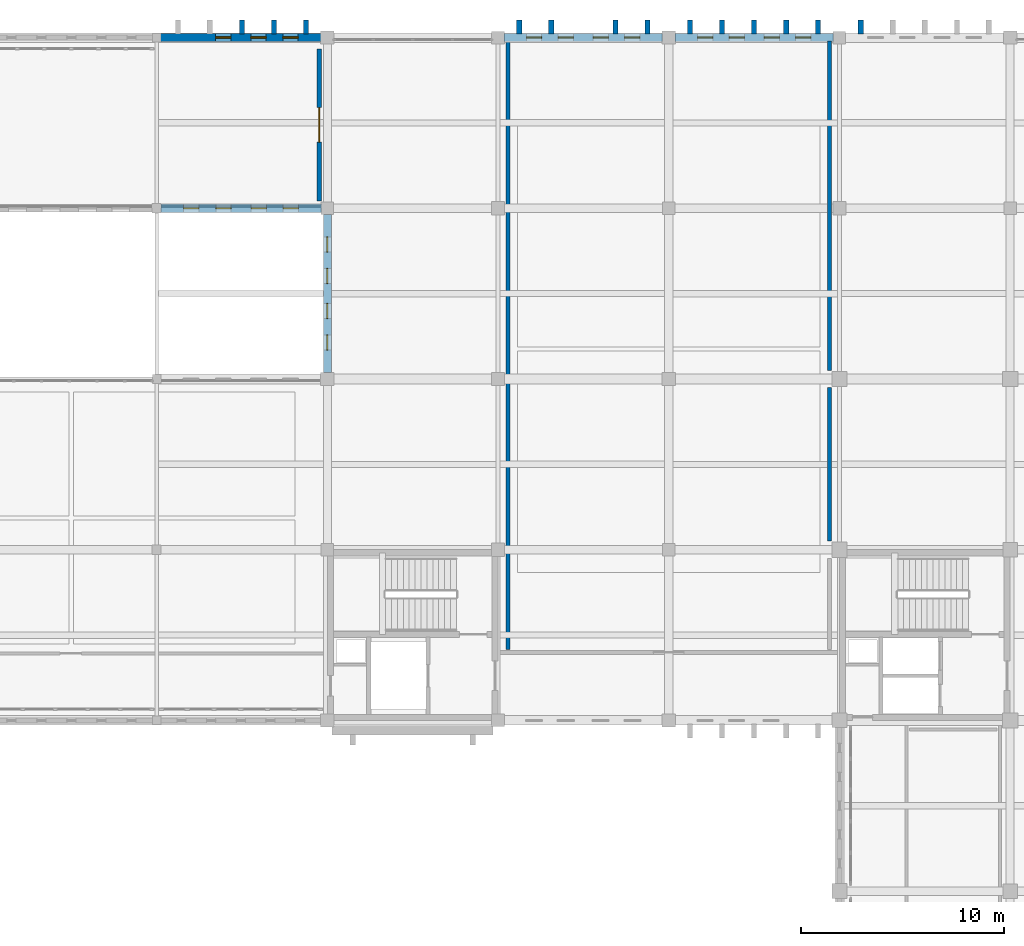
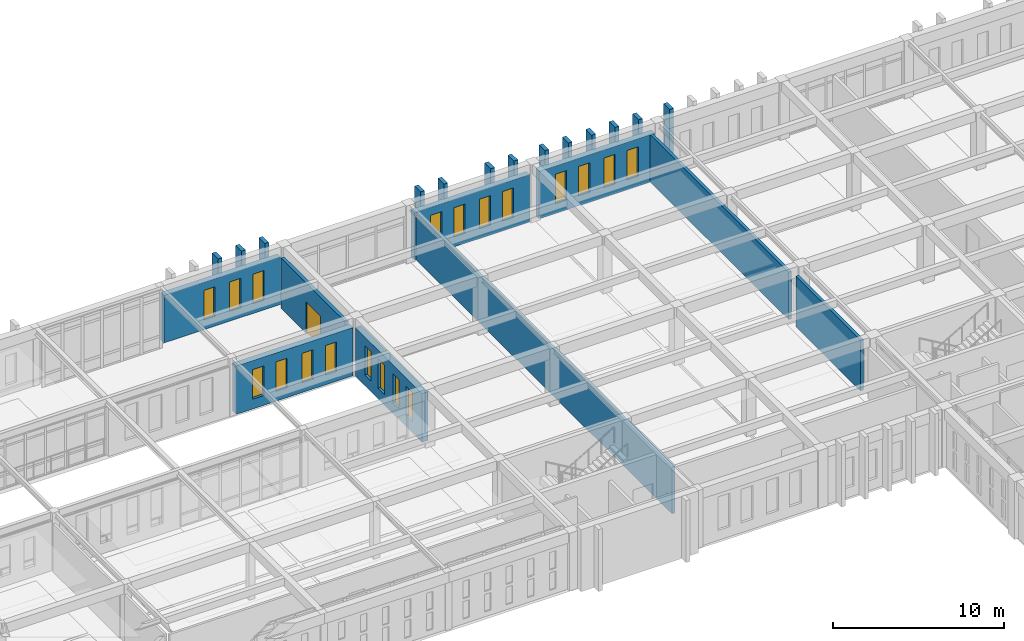
# One storey, part 174 of 192: 22 walls, 19 windows, 1 door, 20 openings.
"""IFC4 building model written with IfcOpenShell, lengths in metres."""

from ifc_helpers import new_model, si_unit, direction, frame, frame_2d, origin, place, context, subcontext, project, spatial, rectangle, extrude, material, layer, layer_set, type_object, element, fill, save


model = new_model("IFC4")

# Units and contexts
model_context = context("Model", 3, precision=1e-05, world=origin(), true_north=direction((0.0, 1.0)))
body_context = subcontext(model_context, "Body", "Model", "MODEL_VIEW")
ifc_project = project(units=[si_unit("LENGTHUNIT", "METRE"), si_unit("AREAUNIT", "SQUARE_METRE"), si_unit("VOLUMEUNIT", "CUBIC_METRE"), si_unit("PLANEANGLEUNIT", "RADIAN"), si_unit("MASSUNIT", "GRAM", prefix="KILO")], contexts=[model_context])

# Site, building, storey
site_placement = place(None, origin())
site = spatial("IfcSite", under=ifc_project, at=site_placement, CompositionType="ELEMENT")
building_placement = place(site_placement, origin())
building = spatial("IfcBuilding", under=site, at=building_placement, Name="Kveldsbrygga Polytechnic", CompositionType="ELEMENT")
storey_placement = place(building_placement, frame((0.0, 0.0, 5.43994140625)))
storey = spatial("IfcBuildingStorey", under=building, at=storey_placement, Name="L01", CompositionType="ELEMENT", Elevation=5.43994140625)

# Wall, openings, windows
ifc_material_1 = material(Name="Fired clay brick masonry M10", Category="masonry")
ifc_layer_1 = layer(ifc_material_1, 0.3798828125)
ifc_layer_set_1 = layer_set([ifc_layer_1], Name="Fired clay brick masonry M10")
wall_type_1 = type_object("IfcWallType", Name="EW-BRICK-380", PredefinedType="SOLIDWALL", material=ifc_layer_set_1)
wall_1_placement = place(storey_placement, frame((92.594970703125, 117.60009765625, 0.0), z_axis=(0.0, 0.0, 1.0), x_axis=(1.0, 0.0, 0.0)))
wall_1 = element("IfcWall", 1, at=wall_1_placement, inside=storey, type_object=wall_type_1, Name="Exterior Brick Wall EW-L01-X-11-14", PredefinedType="SOLIDWALL", context=body_context, shape_type="SweptSolid", body=[
    extrude(rectangle(XDim=7.89501953125, YDim=0.3798828125, at=frame_2d((3.947509765625, 0.0))), origin(), (0.0, 0.0, 1.0), 3.380126953125),
])
opening_1_placement = place(wall_1_placement, frame((2.7041015625, 0.0, 0.699951171875)))
opening_1 = element("IfcOpeningElement", 2, at=opening_1_placement, cuts=wall_1, Name="Opening W-27", PredefinedType="OPENING", context=body_context, shape_type="SweptSolid", body=[
    extrude(rectangle(XDim=0.75, YDim=2.10009765625, at=frame_2d((0.375, 1.050048828125))), frame((0.0, 0.199951171875, 0.0), z_axis=(0.0, -1.0, 0.0), x_axis=(1.0, 0.0, 0.0)), (0.0, 0.0, 1.0), 0.39990234375),
])
opening_2_placement = place(wall_1_placement, frame((4.44091796875, 0.0, 0.699951171875)))
opening_2 = element("IfcOpeningElement", 3, at=opening_2_placement, cuts=wall_1, Name="Opening W-27", PredefinedType="OPENING", context=body_context, shape_type="SweptSolid", body=[
    extrude(rectangle(XDim=0.75, YDim=2.10009765625, at=frame_2d((0.375, 1.050048828125))), frame((0.0, 0.199951171875, 0.0), z_axis=(0.0, -1.0, 0.0), x_axis=(1.0, 0.0, 0.0)), (0.0, 0.0, 1.0), 0.39990234375),
])
opening_3_placement = place(wall_1_placement, frame((6.02001953125, 0.0, 0.699951171875)))
opening_3 = element("IfcOpeningElement", 4, at=opening_3_placement, cuts=wall_1, Name="Opening W-27", PredefinedType="OPENING", context=body_context, shape_type="SweptSolid", body=[
    extrude(rectangle(XDim=0.75, YDim=2.10009765625, at=frame_2d((0.375, 1.050048828125))), frame((0.0, 0.199951171875, 0.0), z_axis=(0.0, -1.0, 0.0), x_axis=(1.0, 0.0, 0.0)), (0.0, 0.0, 1.0), 0.39990234375),
])
ifc_material_2 = material(Name="Insulated triple low-E glass", Category="glass")
window_type = type_object("IfcWindowType", Name="WN-ATTIC-075x210", PartitioningType="DOUBLE_PANEL_VERTICAL", PredefinedType="WINDOW", material=ifc_material_2)
window_1_placement = place(opening_1_placement, origin())
window_1 = element("IfcWindow", 5, at=window_1_placement, inside=storey, type_object=window_type, Name="Gothic Lancet Window WIN-L01-X-11-14-2", OverallHeight=2.10009765625, OverallWidth=0.75, PartitioningType="DOUBLE_PANEL_VERTICAL", PredefinedType="WINDOW", context=body_context, shape_type="SweptSolid", body=[
    extrude(rectangle(XDim=0.75, YDim=2.10009765625, at=frame_2d((0.375, 1.050048828125))), frame((0.0, 0.030029296875, 0.0), z_axis=(0.0, -1.0, 0.0), x_axis=(1.0, 0.0, 0.0)), (0.0, 0.0, 1.0), 0.06005859375),
])
fill(opening_1, window_1)
window_2_placement = place(opening_2_placement, origin())
window_2 = element("IfcWindow", 6, at=window_2_placement, inside=storey, type_object=window_type, Name="Gothic Lancet Window WIN-L01-X-11-14-3", OverallHeight=2.10009765625, OverallWidth=0.75, PartitioningType="DOUBLE_PANEL_VERTICAL", PredefinedType="WINDOW", context=body_context, shape_type="SweptSolid", body=[
    extrude(rectangle(XDim=0.75, YDim=2.10009765625, at=frame_2d((0.375, 1.050048828125))), frame((0.0, 0.030029296875, 0.0), z_axis=(0.0, -1.0, 0.0), x_axis=(1.0, 0.0, 0.0)), (0.0, 0.0, 1.0), 0.06005859375),
])
fill(opening_2, window_2)
window_3_placement = place(opening_3_placement, origin())
window_3 = element("IfcWindow", 7, at=window_3_placement, inside=storey, type_object=window_type, Name="Gothic Lancet Window WIN-L01-X-11-14-4", OverallHeight=2.10009765625, OverallWidth=0.75, PartitioningType="DOUBLE_PANEL_VERTICAL", PredefinedType="WINDOW", context=body_context, shape_type="SweptSolid", body=[
    extrude(rectangle(XDim=0.75, YDim=2.10009765625, at=frame_2d((0.375, 1.050048828125))), frame((0.0, 0.030029296875, 0.0), z_axis=(0.0, -1.0, 0.0), x_axis=(1.0, 0.0, 0.0)), (0.0, 0.0, 1.0), 0.06005859375),
])
fill(opening_3, window_3)

wall_2_placement = place(storey_placement, frame((109.4951171875, 117.60009765625, 0.0), z_axis=(0.0, 0.0, 1.0), x_axis=(1.0, 0.0, 0.0)))
wall_2 = element("IfcWall", 8, at=wall_2_placement, inside=storey, type_object=wall_type_1, Name="Exterior Brick Wall EW-L01-X-13-14", PredefinedType="SOLIDWALL", context=body_context, shape_type="SweptSolid", body=[
    extrude(rectangle(XDim=7.794921875, YDim=0.3798828125, at=frame_2d((3.8974609375, 0.0))), origin(), (0.0, 0.0, 1.0), 3.380126953125),
])
opening_4_placement = place(wall_2_placement, frame((1.10595703125, 0.0, 0.699951171875)))
opening_4 = element("IfcOpeningElement", 9, at=opening_4_placement, cuts=wall_2, Name="Opening W-27", PredefinedType="OPENING", context=body_context, shape_type="SweptSolid", body=[
    extrude(rectangle(XDim=0.75, YDim=2.10009765625, at=frame_2d((0.375, 1.050048828125))), frame((0.0, 0.199951171875, 0.0), z_axis=(0.0, -1.0, 0.0), x_axis=(1.0, 0.0, 0.0)), (0.0, 0.0, 1.0), 0.39990234375),
])
opening_5_placement = place(wall_2_placement, frame((2.6650390625, 0.0, 0.699951171875)))
opening_5 = element("IfcOpeningElement", 10, at=opening_5_placement, cuts=wall_2, Name="Opening W-27", PredefinedType="OPENING", context=body_context, shape_type="SweptSolid", body=[
    extrude(rectangle(XDim=0.75, YDim=2.10009765625, at=frame_2d((0.375, 1.050048828125))), frame((0.0, 0.199951171875, 0.0), z_axis=(0.0, -1.0, 0.0), x_axis=(1.0, 0.0, 0.0)), (0.0, 0.0, 1.0), 0.39990234375),
])
opening_6_placement = place(wall_2_placement, frame((4.3798828125, 0.0, 0.699951171875)))
opening_6 = element("IfcOpeningElement", 11, at=opening_6_placement, cuts=wall_2, Name="Opening W-27", PredefinedType="OPENING", context=body_context, shape_type="SweptSolid", body=[
    extrude(rectangle(XDim=0.75, YDim=2.10009765625, at=frame_2d((0.375, 1.050048828125))), frame((0.0, 0.199951171875, 0.0), z_axis=(0.0, -1.0, 0.0), x_axis=(1.0, 0.0, 0.0)), (0.0, 0.0, 1.0), 0.39990234375),
])
opening_7_placement = place(wall_2_placement, frame((5.93896484375, 0.0, 0.699951171875)))
opening_7 = element("IfcOpeningElement", 12, at=opening_7_placement, cuts=wall_2, Name="Opening W-27", PredefinedType="OPENING", context=body_context, shape_type="SweptSolid", body=[
    extrude(rectangle(XDim=0.75, YDim=2.10009765625, at=frame_2d((0.375, 1.050048828125))), frame((0.0, 0.199951171875, 0.0), z_axis=(0.0, -1.0, 0.0), x_axis=(1.0, 0.0, 0.0)), (0.0, 0.0, 1.0), 0.39990234375),
])
window_4_placement = place(opening_4_placement, origin())
window_4 = element("IfcWindow", 13, at=window_4_placement, inside=storey, type_object=window_type, Name="Gothic Lancet Window WIN-L01-X-13-14-1", OverallHeight=2.10009765625, OverallWidth=0.75, PartitioningType="DOUBLE_PANEL_VERTICAL", PredefinedType="WINDOW", context=body_context, shape_type="SweptSolid", body=[
    extrude(rectangle(XDim=0.75, YDim=2.10009765625, at=frame_2d((0.375, 1.050048828125))), frame((0.0, 0.030029296875, 0.0), z_axis=(0.0, -1.0, 0.0), x_axis=(1.0, 0.0, 0.0)), (0.0, 0.0, 1.0), 0.06005859375),
])
fill(opening_4, window_4)
window_5_placement = place(opening_5_placement, origin())
window_5 = element("IfcWindow", 14, at=window_5_placement, inside=storey, type_object=window_type, Name="Gothic Lancet Window WIN-L01-X-13-14-2", OverallHeight=2.10009765625, OverallWidth=0.75, PartitioningType="DOUBLE_PANEL_VERTICAL", PredefinedType="WINDOW", context=body_context, shape_type="SweptSolid", body=[
    extrude(rectangle(XDim=0.75, YDim=2.10009765625, at=frame_2d((0.375, 1.050048828125))), frame((0.0, 0.030029296875, 0.0), z_axis=(0.0, -1.0, 0.0), x_axis=(1.0, 0.0, 0.0)), (0.0, 0.0, 1.0), 0.06005859375),
])
fill(opening_5, window_5)
window_6_placement = place(opening_6_placement, origin())
window_6 = element("IfcWindow", 15, at=window_6_placement, inside=storey, type_object=window_type, Name="Gothic Lancet Window WIN-L01-X-13-14-3", OverallHeight=2.10009765625, OverallWidth=0.75, PartitioningType="DOUBLE_PANEL_VERTICAL", PredefinedType="WINDOW", context=body_context, shape_type="SweptSolid", body=[
    extrude(rectangle(XDim=0.75, YDim=2.10009765625, at=frame_2d((0.375, 1.050048828125))), frame((0.0, 0.030029296875, 0.0), z_axis=(0.0, -1.0, 0.0), x_axis=(1.0, 0.0, 0.0)), (0.0, 0.0, 1.0), 0.06005859375),
])
fill(opening_6, window_6)
window_7_placement = place(opening_7_placement, origin())
window_7 = element("IfcWindow", 16, at=window_7_placement, inside=storey, type_object=window_type, Name="Gothic Lancet Window WIN-L01-X-13-14-4", OverallHeight=2.10009765625, OverallWidth=0.75, PartitioningType="DOUBLE_PANEL_VERTICAL", PredefinedType="WINDOW", context=body_context, shape_type="SweptSolid", body=[
    extrude(rectangle(XDim=0.75, YDim=2.10009765625, at=frame_2d((0.375, 1.050048828125))), frame((0.0, 0.030029296875, 0.0), z_axis=(0.0, -1.0, 0.0), x_axis=(1.0, 0.0, 0.0)), (0.0, 0.0, 1.0), 0.06005859375),
])
fill(opening_7, window_7)

ifc_layer_2 = layer(ifc_material_1, 0.39990234375)
ifc_layer_set_2 = layer_set([ifc_layer_2], Name="Fired clay brick masonry M10")
wall_type_2 = type_object("IfcWallType", Name="EW-BRICK-400", PredefinedType="SOLIDWALL", material=ifc_layer_set_2)
wall_3_placement = place(storey_placement, frame((92.610107421875, 109.199951171875, 0.0), z_axis=(0.0, 0.0, 1.0), x_axis=(1.0, 0.0, 0.0)))
wall_3 = element("IfcWall", 17, at=wall_3_placement, inside=storey, type_object=wall_type_2, Name="Exterior Brick Wall EW-L01-X-11-13", PredefinedType="SOLIDWALL", context=body_context, shape_type="SweptSolid", body=[
    extrude(rectangle(XDim=7.894775390625, YDim=0.39990234375, at=frame_2d((3.947265625, 0.0))), origin(), (0.0, 0.0, 1.0), 3.43994140625),
])
opening_8_placement = place(wall_3_placement, frame((1.125, 0.0, 0.699951171875)))
opening_8 = element("IfcOpeningElement", 18, at=opening_8_placement, cuts=wall_3, Name="Opening W-27", PredefinedType="OPENING", context=body_context, shape_type="SweptSolid", body=[
    extrude(rectangle(XDim=0.75, YDim=2.10009765625, at=frame_2d((0.375, 1.050048828125))), frame((0.0, 0.2099609375, 0.0), z_axis=(0.0, -1.0, 0.0), x_axis=(1.0, 0.0, 0.0)), (0.0, 0.0, 1.0), 0.419921875),
])
opening_9_placement = place(wall_3_placement, frame((2.7041015625, 0.0, 0.699951171875)))
opening_9 = element("IfcOpeningElement", 19, at=opening_9_placement, cuts=wall_3, Name="Opening W-27", PredefinedType="OPENING", context=body_context, shape_type="SweptSolid", body=[
    extrude(rectangle(XDim=0.75, YDim=2.10009765625, at=frame_2d((0.375, 1.050048828125))), frame((0.0, 0.2099609375, 0.0), z_axis=(0.0, -1.0, 0.0), x_axis=(1.0, 0.0, 0.0)), (0.0, 0.0, 1.0), 0.419921875),
])
opening_10_placement = place(wall_3_placement, frame((4.44091796875, 0.0, 0.699951171875)))
opening_10 = element("IfcOpeningElement", 20, at=opening_10_placement, cuts=wall_3, Name="Opening W-27", PredefinedType="OPENING", context=body_context, shape_type="SweptSolid", body=[
    extrude(rectangle(XDim=0.75, YDim=2.10009765625, at=frame_2d((0.375, 1.050048828125))), frame((0.0, 0.2099609375, 0.0), z_axis=(0.0, -1.0, 0.0), x_axis=(1.0, 0.0, 0.0)), (0.0, 0.0, 1.0), 0.419921875),
])
opening_11_placement = place(wall_3_placement, frame((6.02001953125, 0.0, 0.699951171875)))
opening_11 = element("IfcOpeningElement", 21, at=opening_11_placement, cuts=wall_3, Name="Opening W-27", PredefinedType="OPENING", context=body_context, shape_type="SweptSolid", body=[
    extrude(rectangle(XDim=0.75, YDim=2.10009765625, at=frame_2d((0.375, 1.050048828125))), frame((0.0, 0.2099609375, 0.0), z_axis=(0.0, -1.0, 0.0), x_axis=(1.0, 0.0, 0.0)), (0.0, 0.0, 1.0), 0.419921875),
])
window_8_placement = place(opening_8_placement, origin())
window_8 = element("IfcWindow", 22, at=window_8_placement, inside=storey, type_object=window_type, Name="Gothic Lancet Window WIN-L01-X-11-13-1", OverallHeight=2.10009765625, OverallWidth=0.75, PartitioningType="DOUBLE_PANEL_VERTICAL", PredefinedType="WINDOW", context=body_context, shape_type="SweptSolid", body=[
    extrude(rectangle(XDim=0.75, YDim=2.10009765625, at=frame_2d((0.375, 1.050048828125))), frame((0.0, 0.030029296875, 0.0), z_axis=(0.0, -1.0, 0.0), x_axis=(1.0, 0.0, 0.0)), (0.0, 0.0, 1.0), 0.06005859375),
])
fill(opening_8, window_8)
window_9_placement = place(opening_9_placement, origin())
window_9 = element("IfcWindow", 23, at=window_9_placement, inside=storey, type_object=window_type, Name="Gothic Lancet Window WIN-L01-X-11-13-2", OverallHeight=2.10009765625, OverallWidth=0.75, PartitioningType="DOUBLE_PANEL_VERTICAL", PredefinedType="WINDOW", context=body_context, shape_type="SweptSolid", body=[
    extrude(rectangle(XDim=0.75, YDim=2.10009765625, at=frame_2d((0.375, 1.050048828125))), frame((0.0, 0.030029296875, 0.0), z_axis=(0.0, -1.0, 0.0), x_axis=(1.0, 0.0, 0.0)), (0.0, 0.0, 1.0), 0.06005859375),
])
fill(opening_9, window_9)
window_10_placement = place(opening_10_placement, origin())
window_10 = element("IfcWindow", 24, at=window_10_placement, inside=storey, type_object=window_type, Name="Gothic Lancet Window WIN-L01-X-11-13-3", OverallHeight=2.10009765625, OverallWidth=0.75, PartitioningType="DOUBLE_PANEL_VERTICAL", PredefinedType="WINDOW", context=body_context, shape_type="SweptSolid", body=[
    extrude(rectangle(XDim=0.75, YDim=2.10009765625, at=frame_2d((0.375, 1.050048828125))), frame((0.0, 0.030029296875, 0.0), z_axis=(0.0, -1.0, 0.0), x_axis=(1.0, 0.0, 0.0)), (0.0, 0.0, 1.0), 0.06005859375),
])
fill(opening_10, window_10)
window_11_placement = place(opening_11_placement, origin())
window_11 = element("IfcWindow", 25, at=window_11_placement, inside=storey, type_object=window_type, Name="Gothic Lancet Window WIN-L01-X-11-13-4", OverallHeight=2.10009765625, OverallWidth=0.75, PartitioningType="DOUBLE_PANEL_VERTICAL", PredefinedType="WINDOW", context=body_context, shape_type="SweptSolid", body=[
    extrude(rectangle(XDim=0.75, YDim=2.10009765625, at=frame_2d((0.375, 1.050048828125))), frame((0.0, 0.030029296875, 0.0), z_axis=(0.0, -1.0, 0.0), x_axis=(1.0, 0.0, 0.0)), (0.0, 0.0, 1.0), 0.06005859375),
])
fill(opening_11, window_11)

wall_4_placement = place(storey_placement, frame((100.800048828125, 101.110107421875, 0.0), z_axis=(0.0, 0.0, 1.0), x_axis=(0.0, 1.0, 0.0)))
wall_4 = element("IfcWall", 26, at=wall_4_placement, inside=storey, type_object=wall_type_2, Name="Exterior Brick Wall EW-L01-Y-12-12", PredefinedType="SOLIDWALL", context=body_context, shape_type="SweptSolid", body=[
    extrude(rectangle(XDim=7.794921875, YDim=0.39990234375, at=frame_2d((3.8974609375, 0.0))), origin(), (0.0, 0.0, 1.0), 3.469970703125),
])
opening_12_placement = place(wall_4_placement, frame((1.10595703125, 0.0, 0.75)))
opening_12 = element("IfcOpeningElement", 27, at=opening_12_placement, cuts=wall_4, Name="Opening W-27", PredefinedType="OPENING", context=body_context, shape_type="SweptSolid", body=[
    extrude(rectangle(XDim=0.75, YDim=2.10009765625, at=frame_2d((0.375, 1.050048828125))), frame((0.0, 0.2099609375, 0.0), z_axis=(0.0, -1.0, 0.0), x_axis=(1.0, 0.0, 0.0)), (0.0, 0.0, 1.0), 0.419921875),
])
opening_13_placement = place(wall_4_placement, frame((2.6650390625, 0.0, 0.75)))
opening_13 = element("IfcOpeningElement", 28, at=opening_13_placement, cuts=wall_4, Name="Opening W-27", PredefinedType="OPENING", context=body_context, shape_type="SweptSolid", body=[
    extrude(rectangle(XDim=0.75, YDim=2.10009765625, at=frame_2d((0.375, 1.050048828125))), frame((0.0, 0.2099609375, 0.0), z_axis=(0.0, -1.0, 0.0), x_axis=(1.0, 0.0, 0.0)), (0.0, 0.0, 1.0), 0.419921875),
])
opening_14_placement = place(wall_4_placement, frame((4.3798828125, 0.0, 0.75)))
opening_14 = element("IfcOpeningElement", 29, at=opening_14_placement, cuts=wall_4, Name="Opening W-27", PredefinedType="OPENING", context=body_context, shape_type="SweptSolid", body=[
    extrude(rectangle(XDim=0.75, YDim=2.10009765625, at=frame_2d((0.375, 1.050048828125))), frame((0.0, 0.2099609375, 0.0), z_axis=(0.0, -1.0, 0.0), x_axis=(1.0, 0.0, 0.0)), (0.0, 0.0, 1.0), 0.419921875),
])
opening_15_placement = place(wall_4_placement, frame((5.93896484375, 0.0, 0.75)))
opening_15 = element("IfcOpeningElement", 30, at=opening_15_placement, cuts=wall_4, Name="Opening W-27", PredefinedType="OPENING", context=body_context, shape_type="SweptSolid", body=[
    extrude(rectangle(XDim=0.75, YDim=2.10009765625, at=frame_2d((0.375, 1.050048828125))), frame((0.0, 0.2099609375, 0.0), z_axis=(0.0, -1.0, 0.0), x_axis=(1.0, 0.0, 0.0)), (0.0, 0.0, 1.0), 0.419921875),
])
window_12_placement = place(opening_12_placement, origin())
window_12 = element("IfcWindow", 31, at=window_12_placement, inside=storey, type_object=window_type, Name="Gothic Lancet Window WIN-L01-Y-12-12-1", OverallHeight=2.10009765625, OverallWidth=0.75, PartitioningType="DOUBLE_PANEL_VERTICAL", PredefinedType="WINDOW", context=body_context, shape_type="SweptSolid", body=[
    extrude(rectangle(XDim=0.75, YDim=2.10009765625, at=frame_2d((0.375, 1.050048828125))), frame((0.0, 0.030029296875, 0.0), z_axis=(0.0, -1.0, 0.0), x_axis=(1.0, 0.0, 0.0)), (0.0, 0.0, 1.0), 0.06005859375),
])
fill(opening_12, window_12)
window_13_placement = place(opening_13_placement, origin())
window_13 = element("IfcWindow", 32, at=window_13_placement, inside=storey, type_object=window_type, Name="Gothic Lancet Window WIN-L01-Y-12-12-2", OverallHeight=2.10009765625, OverallWidth=0.75, PartitioningType="DOUBLE_PANEL_VERTICAL", PredefinedType="WINDOW", context=body_context, shape_type="SweptSolid", body=[
    extrude(rectangle(XDim=0.75, YDim=2.10009765625, at=frame_2d((0.375, 1.050048828125))), frame((0.0, 0.030029296875, 0.0), z_axis=(0.0, -1.0, 0.0), x_axis=(1.0, 0.0, 0.0)), (0.0, 0.0, 1.0), 0.06005859375),
])
fill(opening_13, window_13)
window_14_placement = place(opening_14_placement, origin())
window_14 = element("IfcWindow", 33, at=window_14_placement, inside=storey, type_object=window_type, Name="Gothic Lancet Window WIN-L01-Y-12-12-3", OverallHeight=2.10009765625, OverallWidth=0.75, PartitioningType="DOUBLE_PANEL_VERTICAL", PredefinedType="WINDOW", context=body_context, shape_type="SweptSolid", body=[
    extrude(rectangle(XDim=0.75, YDim=2.10009765625, at=frame_2d((0.375, 1.050048828125))), frame((0.0, 0.030029296875, 0.0), z_axis=(0.0, -1.0, 0.0), x_axis=(1.0, 0.0, 0.0)), (0.0, 0.0, 1.0), 0.06005859375),
])
fill(opening_14, window_14)
window_15_placement = place(opening_15_placement, origin())
window_15 = element("IfcWindow", 34, at=window_15_placement, inside=storey, type_object=window_type, Name="Gothic Lancet Window WIN-L01-Y-12-12-4", OverallHeight=2.10009765625, OverallWidth=0.75, PartitioningType="DOUBLE_PANEL_VERTICAL", PredefinedType="WINDOW", context=body_context, shape_type="SweptSolid", body=[
    extrude(rectangle(XDim=0.75, YDim=2.10009765625, at=frame_2d((0.375, 1.050048828125))), frame((0.0, 0.030029296875, 0.0), z_axis=(0.0, -1.0, 0.0), x_axis=(1.0, 0.0, 0.0)), (0.0, 0.0, 1.0), 0.06005859375),
])
fill(opening_15, window_15)

wall_5_placement = place(storey_placement, frame((117.909912109375, 117.60009765625, 0.0), z_axis=(0.0, 0.0, 1.0), x_axis=(1.0, 0.0, 0.0)))
wall_5 = element("IfcWall", 35, at=wall_5_placement, inside=storey, type_object=wall_type_2, Name="Exterior Brick Wall EW-L01-X-14-14", PredefinedType="SOLIDWALL", context=body_context, shape_type="SweptSolid", body=[
    extrude(rectangle(XDim=7.795166015625, YDim=0.39990234375, at=frame_2d((3.8974609375, 0.0))), origin(), (0.0, 0.0, 1.0), 3.380126953125),
])
opening_16_placement = place(wall_5_placement, frame((1.10595703125, 0.0, 0.699951171875)))
opening_16 = element("IfcOpeningElement", 36, at=opening_16_placement, cuts=wall_5, Name="Opening W-27", PredefinedType="OPENING", context=body_context, shape_type="SweptSolid", body=[
    extrude(rectangle(XDim=0.75, YDim=2.10009765625, at=frame_2d((0.375, 1.050048828125))), frame((0.0, 0.2099609375, 0.0), z_axis=(0.0, -1.0, 0.0), x_axis=(1.0, 0.0, 0.0)), (0.0, 0.0, 1.0), 0.419921875),
])
opening_17_placement = place(wall_5_placement, frame((2.6650390625, 0.0, 0.699951171875)))
opening_17 = element("IfcOpeningElement", 37, at=opening_17_placement, cuts=wall_5, Name="Opening W-27", PredefinedType="OPENING", context=body_context, shape_type="SweptSolid", body=[
    extrude(rectangle(XDim=0.75, YDim=2.10009765625, at=frame_2d((0.375, 1.050048828125))), frame((0.0, 0.2099609375, 0.0), z_axis=(0.0, -1.0, 0.0), x_axis=(1.0, 0.0, 0.0)), (0.0, 0.0, 1.0), 0.419921875),
])
opening_18_placement = place(wall_5_placement, frame((4.3798828125, 0.0, 0.699951171875)))
opening_18 = element("IfcOpeningElement", 38, at=opening_18_placement, cuts=wall_5, Name="Opening W-27", PredefinedType="OPENING", context=body_context, shape_type="SweptSolid", body=[
    extrude(rectangle(XDim=0.75, YDim=2.10009765625, at=frame_2d((0.375, 1.050048828125))), frame((0.0, 0.2099609375, 0.0), z_axis=(0.0, -1.0, 0.0), x_axis=(1.0, 0.0, 0.0)), (0.0, 0.0, 1.0), 0.419921875),
])
opening_19_placement = place(wall_5_placement, frame((5.93896484375, 0.0, 0.699951171875)))
opening_19 = element("IfcOpeningElement", 39, at=opening_19_placement, cuts=wall_5, Name="Opening W-27", PredefinedType="OPENING", context=body_context, shape_type="SweptSolid", body=[
    extrude(rectangle(XDim=0.75, YDim=2.10009765625, at=frame_2d((0.375, 1.050048828125))), frame((0.0, 0.2099609375, 0.0), z_axis=(0.0, -1.0, 0.0), x_axis=(1.0, 0.0, 0.0)), (0.0, 0.0, 1.0), 0.419921875),
])
window_16_placement = place(opening_16_placement, origin())
window_16 = element("IfcWindow", 40, at=window_16_placement, inside=storey, type_object=window_type, Name="Gothic Lancet Window WIN-L01-X-14-14-1", OverallHeight=2.10009765625, OverallWidth=0.75, PartitioningType="DOUBLE_PANEL_VERTICAL", PredefinedType="WINDOW", context=body_context, shape_type="SweptSolid", body=[
    extrude(rectangle(XDim=0.75, YDim=2.10009765625, at=frame_2d((0.375, 1.050048828125))), frame((0.0, 0.030029296875, 0.0), z_axis=(0.0, -1.0, 0.0), x_axis=(1.0, 0.0, 0.0)), (0.0, 0.0, 1.0), 0.06005859375),
])
fill(opening_16, window_16)
window_17_placement = place(opening_17_placement, origin())
window_17 = element("IfcWindow", 41, at=window_17_placement, inside=storey, type_object=window_type, Name="Gothic Lancet Window WIN-L01-X-14-14-2", OverallHeight=2.10009765625, OverallWidth=0.75, PartitioningType="DOUBLE_PANEL_VERTICAL", PredefinedType="WINDOW", context=body_context, shape_type="SweptSolid", body=[
    extrude(rectangle(XDim=0.75, YDim=2.10009765625, at=frame_2d((0.375, 1.050048828125))), frame((0.0, 0.030029296875, 0.0), z_axis=(0.0, -1.0, 0.0), x_axis=(1.0, 0.0, 0.0)), (0.0, 0.0, 1.0), 0.06005859375),
])
fill(opening_17, window_17)
window_18_placement = place(opening_18_placement, origin())
window_18 = element("IfcWindow", 42, at=window_18_placement, inside=storey, type_object=window_type, Name="Gothic Lancet Window WIN-L01-X-14-14-3", OverallHeight=2.10009765625, OverallWidth=0.75, PartitioningType="DOUBLE_PANEL_VERTICAL", PredefinedType="WINDOW", context=body_context, shape_type="SweptSolid", body=[
    extrude(rectangle(XDim=0.75, YDim=2.10009765625, at=frame_2d((0.375, 1.050048828125))), frame((0.0, 0.030029296875, 0.0), z_axis=(0.0, -1.0, 0.0), x_axis=(1.0, 0.0, 0.0)), (0.0, 0.0, 1.0), 0.06005859375),
])
fill(opening_18, window_18)
window_19_placement = place(opening_19_placement, origin())
window_19 = element("IfcWindow", 43, at=window_19_placement, inside=storey, type_object=window_type, Name="Gothic Lancet Window WIN-L01-X-14-14-4", OverallHeight=2.10009765625, OverallWidth=0.75, PartitioningType="DOUBLE_PANEL_VERTICAL", PredefinedType="WINDOW", context=body_context, shape_type="SweptSolid", body=[
    extrude(rectangle(XDim=0.75, YDim=2.10009765625, at=frame_2d((0.375, 1.050048828125))), frame((0.0, 0.030029296875, 0.0), z_axis=(0.0, -1.0, 0.0), x_axis=(1.0, 0.0, 0.0)), (0.0, 0.0, 1.0), 0.06005859375),
])
fill(opening_19, window_19)

# Walls
ifc_layer_3 = layer(ifc_material_1, 0.260009765625)
ifc_layer_set_3 = layer_set([ifc_layer_3], Name="Fired clay brick masonry M10")
wall_type_3 = type_object("IfcWallType", Name="EW-BUTT-260", PredefinedType="SOLIDWALL", material=ifc_layer_set_3)
for number, where, z_axis, x_axis, name in (
    (44, (96.60009765625, 117.764892578125, 0.0), (0.0, 0.0, 1.0), (0.0, 1.0, 0.0), "Gothic Brick Buttress Pier BUTT-L01-X-11-14-3"),
    (45, (98.179931640625, 117.764892578125, 0.0), (0.0, 0.0, 1.0), (0.0, 1.0, 0.0), "Gothic Brick Buttress Pier BUTT-L01-X-11-14-4"),
    (46, (99.75, 117.764892578125, 0.0), (0.0, 0.0, 1.0), (0.0, 1.0, 0.0), "Gothic Brick Buttress Pier BUTT-L01-X-11-14-5"),
    (47, (110.25, 117.764892578125, 0.0), (0.0, 0.0, 1.0), (0.0, 1.0, 0.0), "Gothic Brick Buttress Pier BUTT-L01-X-13-14-1"),
    (48, (111.820068359375, 117.764892578125, 0.0), (0.0, 0.0, 1.0), (0.0, 1.0, 0.0), "Gothic Brick Buttress Pier BUTT-L01-X-13-14-2"),
    (49, (114.97998046875, 117.764892578125, 0.0), (0.0, 0.0, 1.0), (0.0, 1.0, 0.0), "Gothic Brick Buttress Pier BUTT-L01-X-13-14-4"),
    (50, (116.550048828125, 117.764892578125, 0.0), (0.0, 0.0, 1.0), (0.0, 1.0, 0.0), "Gothic Brick Buttress Pier BUTT-L01-X-13-14-5"),
    (51, (118.64990234375, 117.764892578125, 0.0), (0.0, 0.0, 1.0), (0.0, 1.0, 0.0), "Gothic Brick Buttress Pier BUTT-L01-X-14-14-1"),
    (52, (120.219970703125, 117.764892578125, 0.0), (0.0, 0.0, 1.0), (0.0, 1.0, 0.0), "Gothic Brick Buttress Pier BUTT-L01-X-14-14-2"),
    (53, (121.800048828125, 117.764892578125, 0.0), (0.0, 0.0, 1.0), (0.0, 1.0, 0.0), "Gothic Brick Buttress Pier BUTT-L01-X-14-14-3"),
    (54, (123.3798828125, 117.764892578125, 0.0), (0.0, 0.0, 1.0), (0.0, 1.0, 0.0), "Gothic Brick Buttress Pier BUTT-L01-X-14-14-4"),
    (55, (124.949951171875, 117.764892578125, 0.0), (0.0, 0.0, 1.0), (0.0, 1.0, 0.0), "Gothic Brick Buttress Pier BUTT-L01-X-14-14-5"),
    (56, (127.050048828125, 117.764892578125, 0.0), (0.0, 0.0, 1.0), (0.0, 1.0, 0.0), "Gothic Brick Buttress Pier BUTT-L01-X-15-14-1"),
):
    element("IfcWall", number, at=place(storey_placement, frame(where, z_axis=z_axis, x_axis=x_axis)), inside=storey, type_object=wall_type_3, Name=name, PredefinedType="SOLIDWALL", context=body_context, shape_type="SweptSolid", body=[
        extrude(rectangle(XDim=0.7001953125, YDim=0.260009765625, at=frame_2d((0.35009765625, 0.0))), origin(), (0.0, 0.0, 1.0), 4.420166015625),
    ])

# Wall, opening, door
ifc_layer_4 = layer(ifc_material_1, 0.219970703125)
ifc_layer_set_4 = layer_set([ifc_layer_4], Name="Fired clay brick masonry M10")
wall_type_4 = type_object("IfcWallType", Name="IW-ACOU-220", PredefinedType="PARTITIONING", material=ifc_layer_set_4)
wall_6_placement = place(storey_placement, frame((100.39990234375, 109.550048828125, 0.0), z_axis=(0.0, 0.0, 1.0), x_axis=(0.0, 1.0, 0.0)))
wall_6 = element("IfcWall", 57, at=wall_6_placement, inside=storey, type_object=wall_type_4, Name="Partition Wall IW-SP-L01-LTUP-E1", PredefinedType="PARTITIONING", context=body_context, shape_type="SweptSolid", body=[
    extrude(rectangle(XDim=7.5, YDim=0.219970703125, at=frame_2d((3.75, 0.0))), origin(), (0.0, 0.0, 1.0), 3.60009765625),
])
opening_20_placement = place(wall_6_placement, frame((2.89990234375, 0.0, 0.0)))
opening_20 = element("IfcOpeningElement", 58, at=opening_20_placement, cuts=wall_6, Name="Opening ID-L01-049", PredefinedType="OPENING", context=body_context, shape_type="SweptSolid", body=[
    extrude(rectangle(XDim=1.699951171875, YDim=2.25, at=frame_2d((0.85009765625, 1.125))), frame((0.0, 0.1201171875, 0.0), z_axis=(0.0, -1.0, 0.0), x_axis=(1.0, 0.0, 0.0)), (0.0, 0.0, 1.0), 0.239990234375),
])
ifc_material_3 = material(Name="Acoustic oak timber", Category="wood")
door_type = type_object("IfcDoorType", Name="ID-LTH-170x225", OperationType="DOUBLE_DOOR_SINGLE_SWING", PredefinedType="DOOR", material=ifc_material_3)
door_placement = place(opening_20_placement, origin())
door = element("IfcDoor", 59, at=door_placement, inside=storey, type_object=door_type, Name="Interior Door ID-L01-049", OperationType="DOUBLE_DOOR_SINGLE_SWING", OverallHeight=2.25, OverallWidth=1.699951171875, PredefinedType="DOOR", context=body_context, shape_type="SweptSolid", body=[
    extrude(rectangle(XDim=1.699951171875, YDim=2.25, at=frame_2d((0.85009765625, 1.125))), frame((0.0, 0.02490234375, 0.0), z_axis=(0.0, -1.0, 0.0), x_axis=(1.0, 0.0, 0.0)), (0.0, 0.0, 1.0), 0.050048828125),
])
fill(opening_20, door)

# Walls
ifc_layer_5 = layer(ifc_material_1, 0.199951171875)
ifc_layer_set_5 = layer_set([ifc_layer_5], Name="Fired clay brick masonry M10")
wall_type_5 = type_object("IfcWallType", Name="IW-LAB-200", PredefinedType="PARTITIONING", material=ifc_layer_set_5)
wall_7_placement = place(storey_placement, frame((109.699951171875, 87.5, 0.0), z_axis=(0.0, 0.0, 1.0), x_axis=(0.0, 1.0, 0.0)))
element("IfcWall", 60, at=wall_7_placement, inside=storey, type_object=wall_type_5, Name="Partition Wall IW-SP-L01-LAB14-W1", PredefinedType="PARTITIONING", context=body_context, shape_type="SweptSolid", body=[
    extrude(rectangle(XDim=29.919921875, YDim=0.199951171875, at=frame_2d((14.9599609375, 0.0))), origin(), (0.0, 0.0, 1.0), 3.340087890625),
])
wall_8_placement = place(storey_placement, frame((125.5, 92.8349609375, 0.0), z_axis=(0.0, 0.0, 1.0), x_axis=(0.0, 1.0, 0.0)))
element("IfcWall", 61, at=wall_8_placement, inside=storey, type_object=wall_type_5, Name="Partition Wall IW-SP-L01-LAB14-E2", PredefinedType="PARTITIONING", context=body_context, shape_type="SweptSolid", body=[
    extrude(rectangle(XDim=7.544921875, YDim=0.199951171875, at=frame_2d((3.7724609375, 0.0))), origin(), (0.0, 0.0, 1.0), 3.6201171875),
])
wall_9_placement = place(storey_placement, frame((125.5, 101.219970703125, 0.0), z_axis=(0.0, 0.0, 1.0), x_axis=(0.0, 1.0, 0.0)))
element("IfcWall", 62, at=wall_9_placement, inside=storey, type_object=wall_type_5, Name="Partition Wall IW-SP-L01-LAB14-E3", PredefinedType="PARTITIONING", context=body_context, shape_type="SweptSolid", body=[
    extrude(rectangle(XDim=16.199951171875, YDim=0.199951171875, at=frame_2d((8.10009765625, 0.0))), origin(), (0.0, 0.0, 1.0), 3.380126953125),
])

save(model, "model.ifc")
